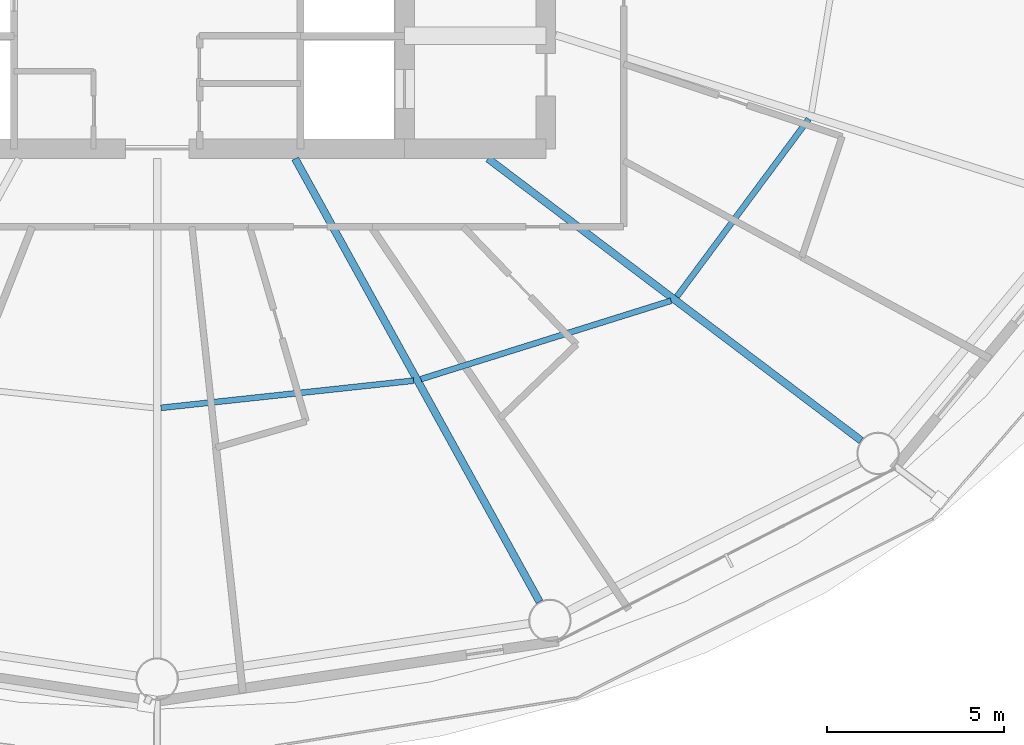
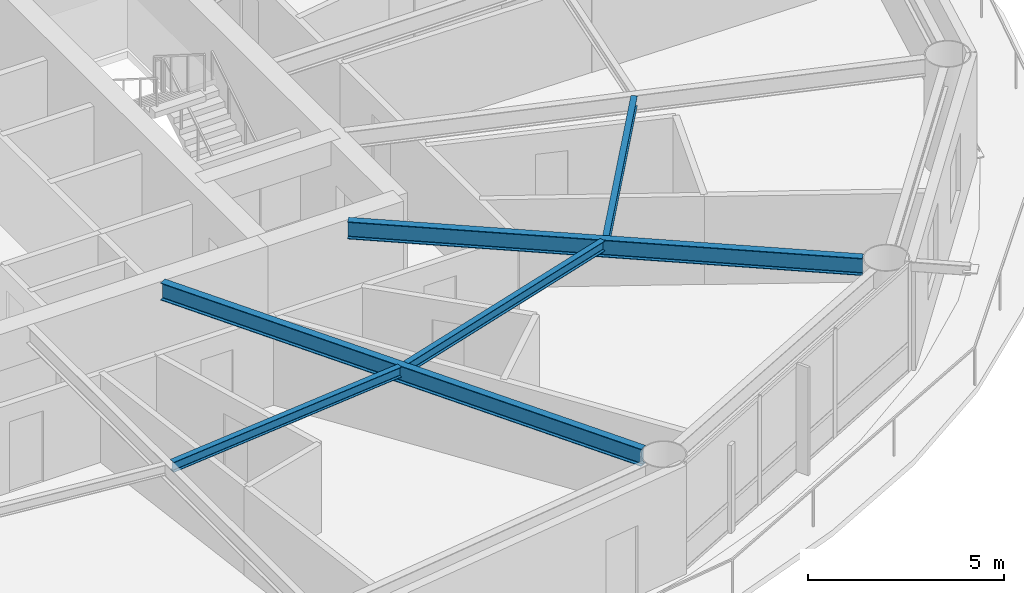
# One storey, part 5 of 24: 5 beams.
"""IFC4 building model written with IfcOpenShell, lengths in metres."""

import ifcopenshell
import ifcopenshell.guid

model = None  # the IFC model being written
_history = None  # IfcOwnerHistory: only IFC2X3 demands one
_inside = {}  # id of a spatial element -> (the spatial element, [elements in it])
_under = {}  # id of a project, library or spatial element -> (it, [spatial elements below it])
_declared = {}  # id of a project -> (the project, [libraries it declares])
_typed = {}  # id of a type object -> (the type object, [elements of that type])
_made_of = {}  # id of a material, layer set ... -> (it, [elements and type objects made of it])


def new_model(schema):
    """Start an empty IFC model of exactly this schema.

    Asked for "IFC4X3", IfcOpenShell would pick the latest addendum, in which some entities
    have other attributes; the version numbers below select the first issue.
    IFC2X3 requires an IfcOwnerHistory on every rooted entity: one is made here for all.
    """
    global model, _history
    if schema == "IFC4X3":
        model = ifcopenshell.file(schema_version=(4, 3, 0, 0))
    else:
        model = ifcopenshell.file(schema=schema)
    _inside.clear()
    _under.clear()
    _declared.clear()
    _typed.clear()
    _made_of.clear()
    _history = None
    if model.schema == "IFC2X3":
        org = make("IfcOrganization", Name="unknown")
        user = make(
            "IfcPersonAndOrganization",
            ThePerson=make("IfcPerson", FamilyName="unknown"),
            TheOrganization=org,
        )
        app = make(
            "IfcApplication",
            ApplicationDeveloper=org,
            Version="unknown",
            ApplicationFullName="unknown",
            ApplicationIdentifier="unknown",
        )
        _history = make(
            "IfcOwnerHistory",
            OwningUser=user,
            OwningApplication=app,
            ChangeAction="ADDED",
            CreationDate=0,
        )
    return model


def make(cls, **values):
    """One entity of the class cls with the attributes given. An attribute that is None is left unset."""
    return model.create_entity(
        cls, **{name: value for name, value in values.items() if value is not None}
    )


def rooted(cls, **values):
    """An entity with a GlobalId (a new one), such as an element, a storey or a relation."""
    return make(cls, GlobalId=ifcopenshell.guid.new(), OwnerHistory=_history, **values)


def si_unit(unit_type, name, prefix=None):
    """IfcSIUnit, for example si_unit("LENGTHUNIT", "METRE", prefix="MILLI")."""
    return make("IfcSIUnit", UnitType=unit_type, Prefix=prefix, Name=name)


def assignment(units):
    """IfcUnitAssignment: the units of a project."""
    return None if units is None else make("IfcUnitAssignment", Units=units)


def point(xyz):
    """IfcCartesianPoint."""
    return None if xyz is None else make("IfcCartesianPoint", Coordinates=xyz)


def direction(xyz):
    """IfcDirection."""
    return None if xyz is None else make("IfcDirection", DirectionRatios=xyz)


def frame(location, z_axis=None, x_axis=None):
    """IfcAxis2Placement3D, a coordinate frame: its origin and axes. An axis left out is left unset."""
    return make(
        "IfcAxis2Placement3D",
        Location=point(location),
        Axis=direction(z_axis),
        RefDirection=direction(x_axis),
    )


def frame_2d(location, x_axis=None):
    """IfcAxis2Placement2D, a coordinate frame in the plane: its origin and x axis."""
    return make(
        "IfcAxis2Placement2D", Location=point(location), RefDirection=direction(x_axis)
    )


def origin():
    """The frame at (0, 0, 0) with its axes left unset."""
    return frame((0.0, 0.0, 0.0))


def origin_2d():
    """The frame at (0, 0) in the plane with its x axis left unset."""
    return frame_2d((0.0, 0.0))


def place(relative_to, where):
    """IfcLocalPlacement: puts the frame where relative to a parent placement (None: the world)."""
    return make(
        "IfcLocalPlacement", PlacementRelTo=relative_to, RelativePlacement=where
    )


def context(
    kind, dimensions, precision=None, world=None, true_north=None, identifier=None
):
    """IfcGeometricRepresentationContext, for example the 3D "Model" context."""
    return make(
        "IfcGeometricRepresentationContext",
        ContextIdentifier=identifier,
        ContextType=kind,
        CoordinateSpaceDimension=dimensions,
        Precision=precision,
        WorldCoordinateSystem=world,
        TrueNorth=true_north,
    )


def subcontext(parent, identifier, kind, view, scale=None):
    """IfcGeometricRepresentationSubContext, for example "Body" below "Model"."""
    return make(
        "IfcGeometricRepresentationSubContext",
        ContextIdentifier=identifier,
        ContextType=kind,
        ParentContext=parent,
        TargetScale=scale,
        TargetView=view,
    )


def project(units=None, contexts=None):
    """IfcProject with its units and contexts."""
    return rooted(
        "IfcProject",
        Name="project",
        RepresentationContexts=contexts,
        UnitsInContext=assignment(units),
    )


def spatial(cls, under=None, at=None, **own):
    """A site, building, storey or space (cls), placed at a placement, below another one or the project."""
    s = rooted(cls, ObjectPlacement=at, **own)
    if under is not None:
        _under.setdefault(under.id(), (under, []))[1].append(s)
    return s


def profile(cls, at=None, kind="AREA", **sizes):
    """A parametric profile (cls). Its sizes go by their IFC names, for example OverallWidth=200.0."""
    return make(cls, ProfileType=kind, Position=at, **sizes)


def i_section(**sizes):
    """IfcIShapeProfileDef."""
    return profile("IfcIShapeProfileDef", **sizes)


def extrude(swept, where, along, depth):
    """IfcExtrudedAreaSolid: the profile swept, set in the frame where, extruded along a direction by depth."""
    return make(
        "IfcExtrudedAreaSolid",
        SweptArea=swept,
        Position=where,
        ExtrudedDirection=direction(along),
        Depth=depth,
    )


def shape(context_of_items, identifier, shape_type, items):
    """IfcShapeRepresentation: the items that make up one representation, for example the "Body"."""
    return make(
        "IfcShapeRepresentation",
        ContextOfItems=context_of_items,
        RepresentationIdentifier=identifier,
        RepresentationType=shape_type,
        Items=items,
    )


def material(Name=None, Category=None):
    """IfcMaterial."""
    return make("IfcMaterial", Name=Name, Category=Category)


def material_profile(
    of_material, cross_section, Name=None, Category=None, Priority=None
):
    """IfcMaterialProfile: a cross section and its material."""
    return make(
        "IfcMaterialProfile",
        Name=Name,
        Material=of_material,
        Profile=cross_section,
        Priority=Priority,
        Category=Category,
    )


def profile_set(profiles, Name=None, composite=None):
    """IfcMaterialProfileSet."""
    return make(
        "IfcMaterialProfileSet",
        Name=Name,
        MaterialProfiles=profiles,
        CompositeProfile=composite,
    )


def made_of(thing, what):
    """Note that an element or type object is made of a material, layer set ...; save() writes the relation."""
    if what is not None:
        _made_of.setdefault(what.id(), (what, []))[1].append(thing)
    return thing


def type_object(cls, material=None, **own):
    """A type object (cls), such as IfcWallType, which elements share."""
    return made_of(rooted(cls, **own), material)


def element(
    cls,
    number,
    at=None,
    inside=None,
    cuts=None,
    type_object=None,
    material=None,
    context=None,
    identifier="Body",
    shape_type=None,
    held_by="IfcProductDefinitionShape",
    body=None,
    shapes=None,
    **own,
):
    """One element of the class cls, such as IfcWall. Its Tag is "e" and its number.

    at: its placement. inside: the storey or other place that contains it. cuts: it is an
    opening in that element (IfcRelVoidsElement). A single representation is given by context,
    identifier, shape_type and body (its items); several are given by shapes. held_by: the class
    of the entity that holds the representations. save() writes the other relations.
    """
    e = rooted(cls, Tag="e%d" % number, ObjectPlacement=at, **own)
    if body is not None:
        shapes = [shape(context, identifier, shape_type, body)]
    if shapes is not None:
        e.Representation = make(held_by, Representations=shapes)
    if inside is not None:
        _inside.setdefault(inside.id(), (inside, []))[1].append(e)
    if cuts is not None:
        rooted(
            "IfcRelVoidsElement", RelatingBuildingElement=cuts, RelatedOpeningElement=e
        )
    if type_object is not None:
        _typed.setdefault(type_object.id(), (type_object, []))[1].append(e)
    return made_of(e, material)


def aggregate(whole, parts):
    """IfcRelAggregates: a whole, such as a stair, and the parts it consists of."""
    return rooted("IfcRelAggregates", RelatingObject=whole, RelatedObjects=parts)


def save(model, path):
    """Write the relations noted so far, then the file.

    IfcRelAggregates (storeys below a building ...), IfcRelContainedInSpatialStructure (elements
    in a storey), IfcRelDefinesByType, IfcRelAssociatesMaterial and IfcRelDeclares: one each for
    every whole, place, type object, material and project.
    """
    for whole, parts in _under.values():
        aggregate(whole, parts)
    for where, things in _inside.values():
        rooted(
            "IfcRelContainedInSpatialStructure",
            RelatedElements=things,
            RelatingStructure=where,
        )
    for kind, things in _typed.values():
        rooted("IfcRelDefinesByType", RelatedObjects=things, RelatingType=kind)
    for what, things in _made_of.values():
        rooted("IfcRelAssociatesMaterial", RelatedObjects=things, RelatingMaterial=what)
    for by, libraries in _declared.values():
        rooted("IfcRelDeclares", RelatingContext=by, RelatedDefinitions=libraries)
    model.write(path)


model = new_model("IFC4")

# Units and contexts
model_context = context("Model", 3, precision=1e-05, world=origin(), true_north=direction((0.0, 1.0)))
body_context = subcontext(model_context, "Body", "Model", "MODEL_VIEW")
ifc_project = project(units=[si_unit("LENGTHUNIT", "METRE"), si_unit("AREAUNIT", "SQUARE_METRE"), si_unit("VOLUMEUNIT", "CUBIC_METRE"), si_unit("PLANEANGLEUNIT", "RADIAN"), si_unit("MASSUNIT", "GRAM", prefix="KILO")], contexts=[model_context])

# Site, building, storey
site_placement = place(None, origin())
site = spatial("IfcSite", under=ifc_project, at=site_placement, CompositionType="ELEMENT")
building_placement = place(site_placement, origin())
building = spatial("IfcBuilding", under=site, at=building_placement, Name="Sarneth Arch Tower", CompositionType="ELEMENT")
storey_placement = place(building_placement, frame((0.0, 0.0, 112.800048828125)))
storey = spatial("IfcBuildingStorey", under=building, at=storey_placement, Name="L28", CompositionType="ELEMENT", Elevation=112.800048828125)

# Beams
ifc_material_1 = material(Name="Steel S355", Category="steel")
ifc_material_profile_1 = material_profile(ifc_material_1, i_section(OverallWidth=0.1669921875, OverallDepth=0.31689453125, WebThickness=0.007568359375, FlangeThickness=0.01318359375, FilletRadius=0.012939453125, at=origin_2d()), Name="W310x52")
ifc_profile_set_1 = profile_set([ifc_material_profile_1], Name="Steel S355")
beam_type_1 = type_object("IfcBeamType", Name="BM-JOIST-310B", PredefinedType="JOIST", material=ifc_profile_set_1)
beam_1_placement = place(storey_placement, frame((48.10498046875, 27.873779296875, 3.221435546875), z_axis=(0.994257420028, 0.107014871487, 0.0), x_axis=(-0.107014871487, 0.994257420028, 0.0)))
element("IfcBeam", 1, at=beam_1_placement, inside=storey, type_object=beam_type_1, Name="L28 Secondary floor joist 13", PredefinedType="JOIST", context=body_context, shape_type="SweptSolid", body=[
    extrude(i_section(OverallWidth=0.1669921875, OverallDepth=0.31689453125, WebThickness=0.007568359375, FlangeThickness=0.01318359375, FilletRadius=0.012939453125, at=origin_2d()), origin(), (0.0, 0.0, 1.0), 7.193115234375),
])
beam_2_placement = place(storey_placement, frame((55.46240234375, 28.6865234375, 3.221435546875), z_axis=(0.954245982384, 0.299022750146, 0.0), x_axis=(-0.299022750146, 0.954245982384, 0.0)))
element("IfcBeam", 2, at=beam_2_placement, inside=storey, type_object=beam_type_1, Name="L28 Secondary floor joist 14", PredefinedType="JOIST", context=body_context, shape_type="SweptSolid", body=[
    extrude(i_section(OverallWidth=0.1669921875, OverallDepth=0.31689453125, WebThickness=0.007568359375, FlangeThickness=0.01318359375, FilletRadius=0.012939453125, at=origin_2d()), origin(), (0.0, 0.0, 1.0), 7.416748046875),
])
beam_3_placement = place(storey_placement, frame((62.703369140625, 31.0205078125, 3.221435546875), z_axis=(0.596098474255, 0.802911333206, 0.0), x_axis=(-0.802911333206, 0.596098474255, 0.0)))
element("IfcBeam", 3, at=beam_3_placement, inside=storey, type_object=beam_type_1, Name="L28 Secondary floor joist 15", PredefinedType="JOIST", context=body_context, shape_type="SweptSolid", body=[
    extrude(i_section(OverallWidth=0.1669921875, OverallDepth=0.31689453125, WebThickness=0.007568359375, FlangeThickness=0.01318359375, FilletRadius=0.012939453125, at=origin_2d()), origin(), (0.0, 0.0, 1.0), 6.259033203125),
])
ifc_material_2 = material(Name="Steel S355", Category="steel")
ifc_material_profile_2 = material_profile(ifc_material_2, i_section(OverallWidth=0.2109375, OverallDepth=0.5390625, WebThickness=0.01171875, FlangeThickness=0.018798828125, FilletRadius=0.01806640625, at=origin_2d()), Name="W530x109")
ifc_profile_set_2 = profile_set([ifc_material_profile_2], Name="Steel S355")
beam_type_2 = type_object("IfcBeamType", Name="BM-RAD-530B", PredefinedType="BEAM", material=ifc_profile_set_2)
beam_4_placement = place(storey_placement, frame((51.90283203125, 34.925048828125, 3.1103515625), z_axis=(0.483021011336, -0.875608761153, 0.0), x_axis=(0.875608761153, 0.483021011336, 0.0)))
element("IfcBeam", 4, at=beam_4_placement, inside=storey, type_object=beam_type_2, Name="L28 Radial floor girder 14", PredefinedType="BEAM", context=body_context, shape_type="SweptSolid", body=[
    extrude(i_section(OverallWidth=0.2109375, OverallDepth=0.5390625, WebThickness=0.01171875, FlangeThickness=0.018798828125, FilletRadius=0.01806640625, at=origin_2d()), origin(), (0.0, 0.0, 1.0), 14.32177734375),
])
beam_5_placement = place(storey_placement, frame((57.36181640625, 34.925048828125, 3.1103515625), z_axis=(0.797802835234, -0.602918432371, 0.0), x_axis=(0.602918432371, 0.797802835234, 0.0)))
element("IfcBeam", 5, at=beam_5_placement, inside=storey, type_object=beam_type_2, Name="L28 Radial floor girder 15", PredefinedType="BEAM", context=body_context, shape_type="SweptSolid", body=[
    extrude(i_section(OverallWidth=0.2109375, OverallDepth=0.5390625, WebThickness=0.01171875, FlangeThickness=0.018798828125, FilletRadius=0.01806640625, at=origin_2d()), origin(), (0.0, 0.0, 1.0), 13.232666015625),
])

save(model, "model.ifc")
